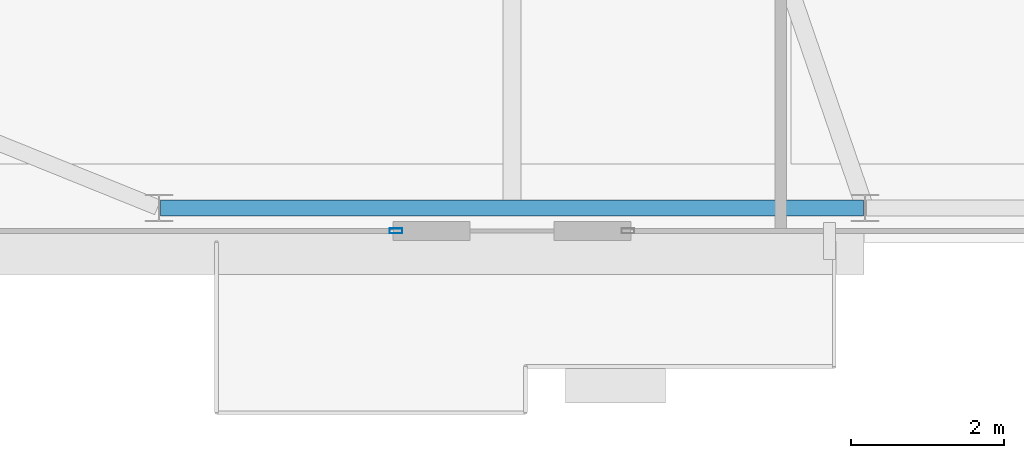
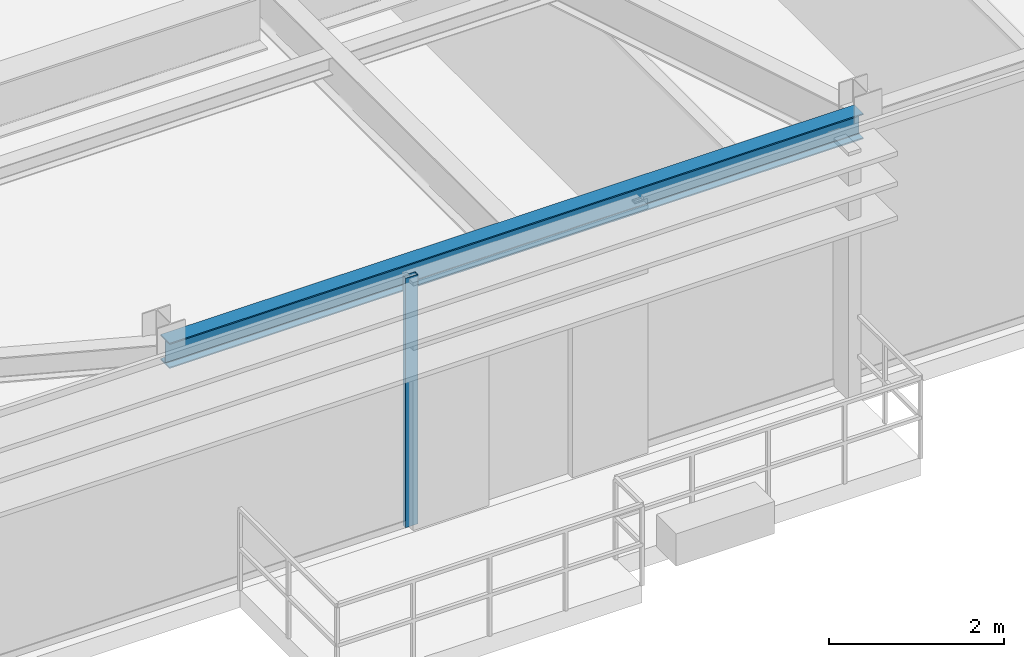
# One storey, part 6 of 28: 1 beam, 1 member, 1 element without a shape of its own.
"""IFC4 building model written with IfcOpenShell, lengths in metres."""

import ifcopenshell
import ifcopenshell.guid

model = None  # the IFC model being written
_history = None  # IfcOwnerHistory: only IFC2X3 demands one
_inside = {}  # id of a spatial element -> (the spatial element, [elements in it])
_under = {}  # id of a project, library or spatial element -> (it, [spatial elements below it])
_declared = {}  # id of a project -> (the project, [libraries it declares])
_typed = {}  # id of a type object -> (the type object, [elements of that type])
_made_of = {}  # id of a material, layer set ... -> (it, [elements and type objects made of it])


def new_model(schema):
    """Start an empty IFC model of exactly this schema.

    Asked for "IFC4X3", IfcOpenShell would pick the latest addendum, in which some entities
    have other attributes; the version numbers below select the first issue.
    IFC2X3 requires an IfcOwnerHistory on every rooted entity: one is made here for all.
    """
    global model, _history
    if schema == "IFC4X3":
        model = ifcopenshell.file(schema_version=(4, 3, 0, 0))
    else:
        model = ifcopenshell.file(schema=schema)
    _inside.clear()
    _under.clear()
    _declared.clear()
    _typed.clear()
    _made_of.clear()
    _history = None
    if model.schema == "IFC2X3":
        org = make("IfcOrganization", Name="unknown")
        user = make(
            "IfcPersonAndOrganization",
            ThePerson=make("IfcPerson", FamilyName="unknown"),
            TheOrganization=org,
        )
        app = make(
            "IfcApplication",
            ApplicationDeveloper=org,
            Version="unknown",
            ApplicationFullName="unknown",
            ApplicationIdentifier="unknown",
        )
        _history = make(
            "IfcOwnerHistory",
            OwningUser=user,
            OwningApplication=app,
            ChangeAction="ADDED",
            CreationDate=0,
        )
    return model


def make(cls, **values):
    """One entity of the class cls with the attributes given. An attribute that is None is left unset."""
    return model.create_entity(
        cls, **{name: value for name, value in values.items() if value is not None}
    )


def rooted(cls, **values):
    """An entity with a GlobalId (a new one), such as an element, a storey or a relation."""
    return make(cls, GlobalId=ifcopenshell.guid.new(), OwnerHistory=_history, **values)


def si_unit(unit_type, name, prefix=None):
    """IfcSIUnit, for example si_unit("LENGTHUNIT", "METRE", prefix="MILLI")."""
    return make("IfcSIUnit", UnitType=unit_type, Prefix=prefix, Name=name)


def assignment(units):
    """IfcUnitAssignment: the units of a project."""
    return None if units is None else make("IfcUnitAssignment", Units=units)


def point(xyz):
    """IfcCartesianPoint."""
    return None if xyz is None else make("IfcCartesianPoint", Coordinates=xyz)


def direction(xyz):
    """IfcDirection."""
    return None if xyz is None else make("IfcDirection", DirectionRatios=xyz)


def frame(location, z_axis=None, x_axis=None):
    """IfcAxis2Placement3D, a coordinate frame: its origin and axes. An axis left out is left unset."""
    return make(
        "IfcAxis2Placement3D",
        Location=point(location),
        Axis=direction(z_axis),
        RefDirection=direction(x_axis),
    )


def frame_2d(location, x_axis=None):
    """IfcAxis2Placement2D, a coordinate frame in the plane: its origin and x axis."""
    return make(
        "IfcAxis2Placement2D", Location=point(location), RefDirection=direction(x_axis)
    )


def origin():
    """The frame at (0, 0, 0) with its axes left unset."""
    return frame((0.0, 0.0, 0.0))


def origin_2d():
    """The frame at (0, 0) in the plane with its x axis left unset."""
    return frame_2d((0.0, 0.0))


def place(relative_to, where):
    """IfcLocalPlacement: puts the frame where relative to a parent placement (None: the world)."""
    return make(
        "IfcLocalPlacement", PlacementRelTo=relative_to, RelativePlacement=where
    )


def context(
    kind, dimensions, precision=None, world=None, true_north=None, identifier=None
):
    """IfcGeometricRepresentationContext, for example the 3D "Model" context."""
    return make(
        "IfcGeometricRepresentationContext",
        ContextIdentifier=identifier,
        ContextType=kind,
        CoordinateSpaceDimension=dimensions,
        Precision=precision,
        WorldCoordinateSystem=world,
        TrueNorth=true_north,
    )


def subcontext(parent, identifier, kind, view, scale=None):
    """IfcGeometricRepresentationSubContext, for example "Body" below "Model"."""
    return make(
        "IfcGeometricRepresentationSubContext",
        ContextIdentifier=identifier,
        ContextType=kind,
        ParentContext=parent,
        TargetScale=scale,
        TargetView=view,
    )


def project(units=None, contexts=None):
    """IfcProject with its units and contexts."""
    return rooted(
        "IfcProject",
        Name="project",
        RepresentationContexts=contexts,
        UnitsInContext=assignment(units),
    )


def spatial(cls, under=None, at=None, **own):
    """A site, building, storey or space (cls), placed at a placement, below another one or the project."""
    s = rooted(cls, ObjectPlacement=at, **own)
    if under is not None:
        _under.setdefault(under.id(), (under, []))[1].append(s)
    return s


def profile(cls, at=None, kind="AREA", **sizes):
    """A parametric profile (cls). Its sizes go by their IFC names, for example OverallWidth=200.0."""
    return make(cls, ProfileType=kind, Position=at, **sizes)


def hollow_rectangle(**sizes):
    """IfcRectangleHollowProfileDef."""
    return profile("IfcRectangleHollowProfileDef", **sizes)


def i_section(**sizes):
    """IfcIShapeProfileDef."""
    return profile("IfcIShapeProfileDef", **sizes)


def extrude(swept, where, along, depth):
    """IfcExtrudedAreaSolid: the profile swept, set in the frame where, extruded along a direction by depth."""
    return make(
        "IfcExtrudedAreaSolid",
        SweptArea=swept,
        Position=where,
        ExtrudedDirection=direction(along),
        Depth=depth,
    )


def shape(context_of_items, identifier, shape_type, items):
    """IfcShapeRepresentation: the items that make up one representation, for example the "Body"."""
    return make(
        "IfcShapeRepresentation",
        ContextOfItems=context_of_items,
        RepresentationIdentifier=identifier,
        RepresentationType=shape_type,
        Items=items,
    )


def source(mapping_origin, context_of_items, identifier, shape_type, items):
    """IfcRepresentationMap: a shape defined once, which mapped items show again and again."""
    return make(
        "IfcRepresentationMap",
        MappingOrigin=mapping_origin,
        MappedRepresentation=shape(context_of_items, identifier, shape_type, items),
    )


def transform(
    local_origin,
    x_axis=None,
    y_axis=None,
    z_axis=None,
    scale=None,
    scale2=None,
    scale3=None,
    uniform=True,
):
    """IfcCartesianTransformationOperator3D, or its non-uniform kind. x_axis, y_axis, z_axis: its Axis1, 2, 3."""
    if uniform:
        return make(
            "IfcCartesianTransformationOperator3D",
            Axis1=direction(x_axis),
            Axis2=direction(y_axis),
            LocalOrigin=point(local_origin),
            Scale=scale,
            Axis3=direction(z_axis),
        )
    return make(
        "IfcCartesianTransformationOperator3DnonUniform",
        Axis1=direction(x_axis),
        Axis2=direction(y_axis),
        LocalOrigin=point(local_origin),
        Scale=scale,
        Axis3=direction(z_axis),
        Scale2=scale2,
        Scale3=scale3,
    )


def mapped(mapping_source, mapping_target):
    """IfcMappedItem: shows the shape of a source again, moved by a transform."""
    return make(
        "IfcMappedItem", MappingSource=mapping_source, MappingTarget=mapping_target
    )


def material(Name=None, Category=None):
    """IfcMaterial."""
    return make("IfcMaterial", Name=Name, Category=Category)


def layer(
    of_material, thickness, ventilated=None, Name=None, Category=None, Priority=None
):
    """IfcMaterialLayer: one layer of a wall or slab, of a material (None: an air gap)."""
    return make(
        "IfcMaterialLayer",
        Material=of_material,
        LayerThickness=thickness,
        IsVentilated=ventilated,
        Name=Name,
        Category=Category,
        Priority=Priority,
    )


def layer_set(layers, Name=None):
    """IfcMaterialLayerSet."""
    return make("IfcMaterialLayerSet", MaterialLayers=layers, LayerSetName=Name)


def material_profile(
    of_material, cross_section, Name=None, Category=None, Priority=None
):
    """IfcMaterialProfile: a cross section and its material."""
    return make(
        "IfcMaterialProfile",
        Name=Name,
        Material=of_material,
        Profile=cross_section,
        Priority=Priority,
        Category=Category,
    )


def profile_set(profiles, Name=None, composite=None):
    """IfcMaterialProfileSet."""
    return make(
        "IfcMaterialProfileSet",
        Name=Name,
        MaterialProfiles=profiles,
        CompositeProfile=composite,
    )


def made_of(thing, what):
    """Note that an element or type object is made of a material, layer set ...; save() writes the relation."""
    if what is not None:
        _made_of.setdefault(what.id(), (what, []))[1].append(thing)
    return thing


def type_object(cls, material=None, **own):
    """A type object (cls), such as IfcWallType, which elements share."""
    return made_of(rooted(cls, **own), material)


def type_shapes(of_type, sources):
    """Give a type object the sources (RepresentationMaps) that its elements show as mapped items."""
    of_type.RepresentationMaps = sources


def element(
    cls,
    number,
    at=None,
    inside=None,
    cuts=None,
    type_object=None,
    material=None,
    context=None,
    identifier="Body",
    shape_type=None,
    held_by="IfcProductDefinitionShape",
    body=None,
    shapes=None,
    **own,
):
    """One element of the class cls, such as IfcWall. Its Tag is "e" and its number.

    at: its placement. inside: the storey or other place that contains it. cuts: it is an
    opening in that element (IfcRelVoidsElement). A single representation is given by context,
    identifier, shape_type and body (its items); several are given by shapes. held_by: the class
    of the entity that holds the representations. save() writes the other relations.
    """
    e = rooted(cls, Tag="e%d" % number, ObjectPlacement=at, **own)
    if body is not None:
        shapes = [shape(context, identifier, shape_type, body)]
    if shapes is not None:
        e.Representation = make(held_by, Representations=shapes)
    if inside is not None:
        _inside.setdefault(inside.id(), (inside, []))[1].append(e)
    if cuts is not None:
        rooted(
            "IfcRelVoidsElement", RelatingBuildingElement=cuts, RelatedOpeningElement=e
        )
    if type_object is not None:
        _typed.setdefault(type_object.id(), (type_object, []))[1].append(e)
    return made_of(e, material)


def aggregate(whole, parts):
    """IfcRelAggregates: a whole, such as a stair, and the parts it consists of."""
    return rooted("IfcRelAggregates", RelatingObject=whole, RelatedObjects=parts)


def save(model, path):
    """Write the relations noted so far, then the file.

    IfcRelAggregates (storeys below a building ...), IfcRelContainedInSpatialStructure (elements
    in a storey), IfcRelDefinesByType, IfcRelAssociatesMaterial and IfcRelDeclares: one each for
    every whole, place, type object, material and project.
    """
    for whole, parts in _under.values():
        aggregate(whole, parts)
    for where, things in _inside.values():
        rooted(
            "IfcRelContainedInSpatialStructure",
            RelatedElements=things,
            RelatingStructure=where,
        )
    for kind, things in _typed.values():
        rooted("IfcRelDefinesByType", RelatedObjects=things, RelatingType=kind)
    for what, things in _made_of.values():
        rooted("IfcRelAssociatesMaterial", RelatedObjects=things, RelatingMaterial=what)
    for by, libraries in _declared.values():
        rooted("IfcRelDeclares", RelatingContext=by, RelatedDefinitions=libraries)
    model.write(path)


model = new_model("IFC4")

# Units and contexts
model_context = context("Model", 3, precision=1e-05, world=origin(), true_north=direction((0.0, 1.0)))
body_context = subcontext(model_context, "Body", "Model", "MODEL_VIEW")
ifc_project = project(units=[si_unit("LENGTHUNIT", "METRE"), si_unit("AREAUNIT", "SQUARE_METRE"), si_unit("VOLUMEUNIT", "CUBIC_METRE"), si_unit("PLANEANGLEUNIT", "RADIAN"), si_unit("MASSUNIT", "GRAM", prefix="KILO")], contexts=[model_context])

# Site, building, storey
site_placement = place(None, origin())
site = spatial("IfcSite", under=ifc_project, at=site_placement, CompositionType="ELEMENT")
building_placement = place(site_placement, origin())
building = spatial("IfcBuilding", under=site, at=building_placement, Name="Varnel Quay Broadcast Tower", CompositionType="ELEMENT")
storey_placement = place(building_placement, frame((0.0, 0.0, 230.199951171875)))
storey = spatial("IfcBuildingStorey", under=building, at=storey_placement, Name="L57", CompositionType="ELEMENT", Elevation=230.199951171875)

# Beam
ifc_material_1 = material(Name="Structural Steel CSA G40.21 350W", Category="steel")
ifc_material_profile_1 = material_profile(ifc_material_1, i_section(OverallWidth=0.205078125, OverallDepth=0.35400390625, WebThickness=0.009521484375, FlangeThickness=0.016845703125, FilletRadius=0.012939453125, at=origin_2d()), Name="W360X79")
ifc_profile_set_1 = profile_set([ifc_material_profile_1], Name="Structural Steel CSA G40.21 350W")
beam_type = type_object("IfcBeamType", Name="Beam_W360X79", PredefinedType="SPANDREL", material=ifc_profile_set_1)
shared_shape_1 = source(origin(), body_context, "Body", "SweptSolid", [
    extrude(i_section(OverallWidth=0.205078125, OverallDepth=0.35400390625, WebThickness=0.009521484375, FlangeThickness=0.016845703125, FilletRadius=0.012939453125, at=origin_2d()), origin(), (0.0, 0.0, 1.0), 9.159912109375),
])
type_shapes(beam_type, [shared_shape_1])
beam_placement = place(storey_placement, frame((20.219970703125, 10.64990234375, 3.302978515625), z_axis=(1.0, 0.0, 0.0), x_axis=(0.0, 1.0, 0.0)))
element("IfcBeam", 1, at=beam_placement, inside=storey, type_object=beam_type, Name="L57 South Spandrel TC-S1-TC-S2", PredefinedType="SPANDREL", context=body_context, shape_type="MappedRepresentation", body=[
    mapped(shared_shape_1, transform((0.0, 0.0, 0.0), x_axis=(1.0, 0.0, 0.0), y_axis=(0.0, 1.0, 0.0), z_axis=(0.0, 0.0, 1.0), scale=1.0)),
])

# Curtain wall, member
ifc_material_2 = material(Name="Anodised Bronze Aluminium 6063-T6", Category="aluminium")
ifc_layer = layer(ifc_material_2, 0.18994140625, Name="Anodised Bronze Aluminium 6063-T6")
ifc_layer_set = layer_set([ifc_layer], Name="Anodised Bronze Aluminium 6063-T6")
curtain_wall_type = type_object("IfcCurtainWallType", Name="CW_UpperTower", PredefinedType="NOTDEFINED", material=ifc_layer_set)
curtain_wall_placement = place(storey_placement, origin())
curtain_wall = element("IfcCurtainWall", 2, at=curtain_wall_placement, inside=storey, type_object=curtain_wall_type, Name="L57 South Unitised Curtain Wall 1", PredefinedType="NOTDEFINED")
ifc_material_profile_2 = material_profile(ifc_material_2, hollow_rectangle(XDim=0.06494140625, YDim=0.1650390625, WallThickness=0.00341796875, at=origin_2d()), Name="ALU65X165X3.5")
ifc_profile_set_2 = profile_set([ifc_material_profile_2], Name="Anodised Bronze Aluminium 6063-T6")
member_type = type_object("IfcMemberType", Name="Mull_CWS-03", PredefinedType="MULLION", material=ifc_profile_set_2)
shared_shape_2 = source(origin(), body_context, "Body", "SweptSolid", [
    extrude(hollow_rectangle(XDim=0.06494140625, YDim=0.1650390625, WallThickness=0.00341796875, at=origin_2d()), origin(), (0.0, 0.0, 1.0), 3.47998046875),
])
type_shapes(member_type, [shared_shape_2])
member_placement = place(storey_placement, frame((23.28759765625, 10.35009765625, 0.0), z_axis=(0.0, 0.0, 1.0), x_axis=(0.0, 1.0, 0.0)))
member = element("IfcMember", 3, at=member_placement, type_object=member_type, Name="CWS-03 mullion 2", PredefinedType="MULLION", context=body_context, shape_type="MappedRepresentation", body=[
    mapped(shared_shape_2, transform((0.0, 0.0, 0.0), x_axis=(1.0, 0.0, 0.0), y_axis=(0.0, 1.0, 0.0), z_axis=(0.0, 0.0, 1.0), scale=1.0)),
])
aggregate(curtain_wall, [member])

save(model, "model.ifc")
